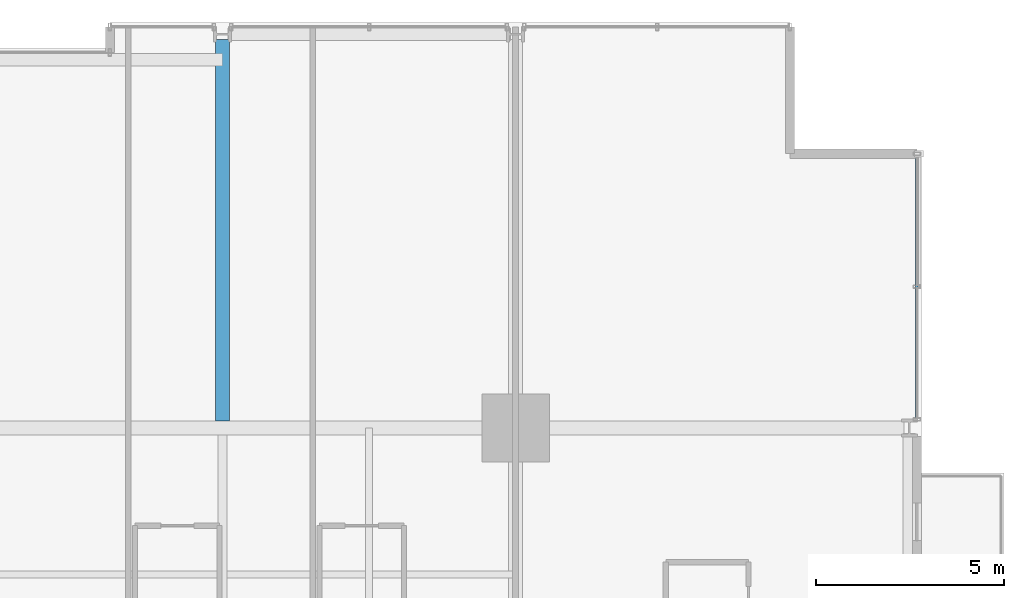
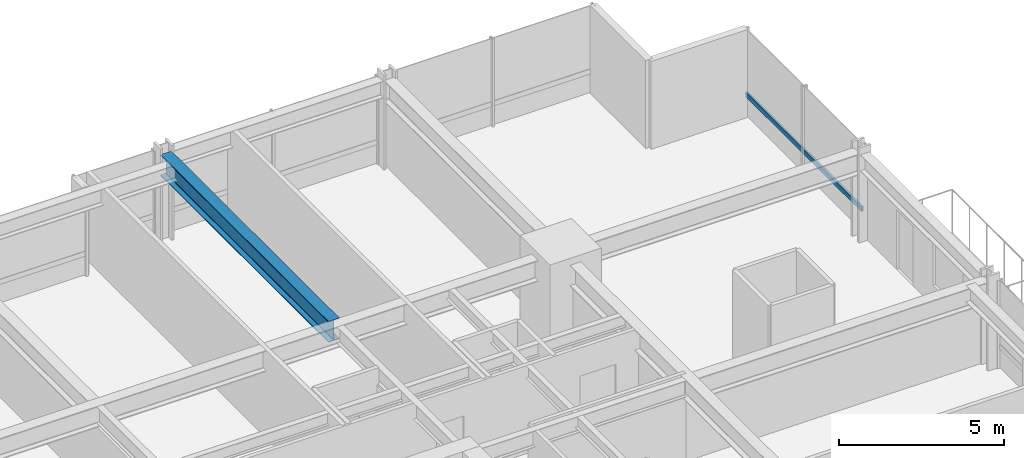
# One storey, part 26 of 38: 1 beam, 1 member, 1 element without a shape of its own.
"""IFC4 building model written with IfcOpenShell, lengths in metres."""

from ifc_helpers import new_model, si_unit, direction, frame, origin, origin_2d, place, context, subcontext, project, spatial, hollow_rectangle, i_section, extrude, material, layer, layer_set, material_profile, profile_set, type_object, element, aggregate, save


model = new_model("IFC4")

# Units and contexts
model_context = context("Model", 3, precision=1e-05, world=origin(), true_north=direction((0.0, 1.0)))
body_context = subcontext(model_context, "Body", "Model", "MODEL_VIEW")
ifc_project = project(units=[si_unit("LENGTHUNIT", "METRE"), si_unit("AREAUNIT", "SQUARE_METRE"), si_unit("VOLUMEUNIT", "CUBIC_METRE"), si_unit("PLANEANGLEUNIT", "RADIAN"), si_unit("MASSUNIT", "GRAM", prefix="KILO")], contexts=[model_context])

# Site, building, storey
site_placement = place(None, origin())
site = spatial("IfcSite", under=ifc_project, at=site_placement, CompositionType="ELEMENT")
building_placement = place(site_placement, origin())
building = spatial("IfcBuilding", under=site, at=building_placement, Name="Drelvath Grand Hotel", CompositionType="ELEMENT")
storey_placement = place(building_placement, frame((0.0, 0.0, 68.199951171875)))
storey = spatial("IfcBuildingStorey", under=building, at=storey_placement, Name="L16", CompositionType="ELEMENT", Elevation=68.199951171875)

# Curtain wall, member
ifc_material_1 = material(Name="Warm Bronze Anodised Aluminium Frame", Category="aluminium")
ifc_layer = layer(ifc_material_1, 0.199951171875)
ifc_layer_set = layer_set([ifc_layer], Name="Warm Bronze Anodised Aluminium Frame")
curtain_wall_type = type_object("IfcCurtainWallType", Name="Stick Curtain Wall CW-02 Warm Bronze Low-Rise", PredefinedType="NOTDEFINED", material=ifc_layer_set)
curtain_wall_placement = place(storey_placement, origin())
curtain_wall = element("IfcCurtainWall", 1, at=curtain_wall_placement, inside=storey, type_object=curtain_wall_type, Name="L16 CW-02 Curtain Wall CW02-L16-EN3", PredefinedType="NOTDEFINED")
ifc_material_profile_1 = material_profile(ifc_material_1, hollow_rectangle(XDim=0.074951171875, YDim=0.179931640625, WallThickness=0.0048828125, at=origin_2d()), Name="HSS180X75X5")
ifc_profile_set_1 = profile_set([ifc_material_profile_1], Name="Warm Bronze Anodised Aluminium Frame")
member_type = type_object("IfcMemberType", Name="Curtain Wall Horizontal Transom CW-02 HSS180X75X5", PredefinedType="USERDEFINED", material=ifc_profile_set_1)
member_placement = place(storey_placement, frame((26.8798828125, 50.4599609375, 0.81005859375), z_axis=(0.0, -1.0, 0.0), x_axis=(1.0, 0.0, 0.0)))
member = element("IfcMember", 2, at=member_placement, type_object=member_type, Name="CW02-L16-EN3 Sill Transom", ObjectType="TRANSOM", PredefinedType="USERDEFINED", context=body_context, shape_type="SweptSolid", body=[
    extrude(hollow_rectangle(XDim=0.074951171875, YDim=0.179931640625, WallThickness=0.0048828125, at=origin_2d()), origin(), (0.0, 0.0, 1.0), 6.990966796875),
])
aggregate(curtain_wall, [member])

# Beam
ifc_material_2 = material(Name="Steel ASTM A992 Gr 50", Category="steel")
ifc_material_profile_2 = material_profile(ifc_material_2, i_section(OverallWidth=0.380615234375, OverallDepth=0.773193359375, WebThickness=0.0166015625, FlangeThickness=0.027099609375, FilletRadius=0.02490234375, at=origin_2d()), Name="W30X173")
ifc_profile_set_2 = profile_set([ifc_material_profile_2], Name="Steel ASTM A992 Gr 50")
beam_type = type_object("IfcBeamType", Name="Primary Floor Girder W30X173", PredefinedType="BEAM", material=ifc_profile_set_2)
beam_placement = place(storey_placement, frame((8.39990234375, 43.390380859375, 2.853515625), z_axis=(0.0, 1.0, 0.0), x_axis=(-1.0, 0.0, 0.0)))
element("IfcBeam", 3, at=beam_placement, inside=storey, type_object=beam_type, Name="L16 North Wing Girder 6", PredefinedType="BEAM", context=body_context, shape_type="SweptSolid", body=[
    extrude(i_section(OverallWidth=0.380615234375, OverallDepth=0.773193359375, WebThickness=0.0166015625, FlangeThickness=0.027099609375, FilletRadius=0.02490234375, at=origin_2d()), origin(), (0.0, 0.0, 1.0), 10.149658203125),
])

save(model, "model.ifc")
